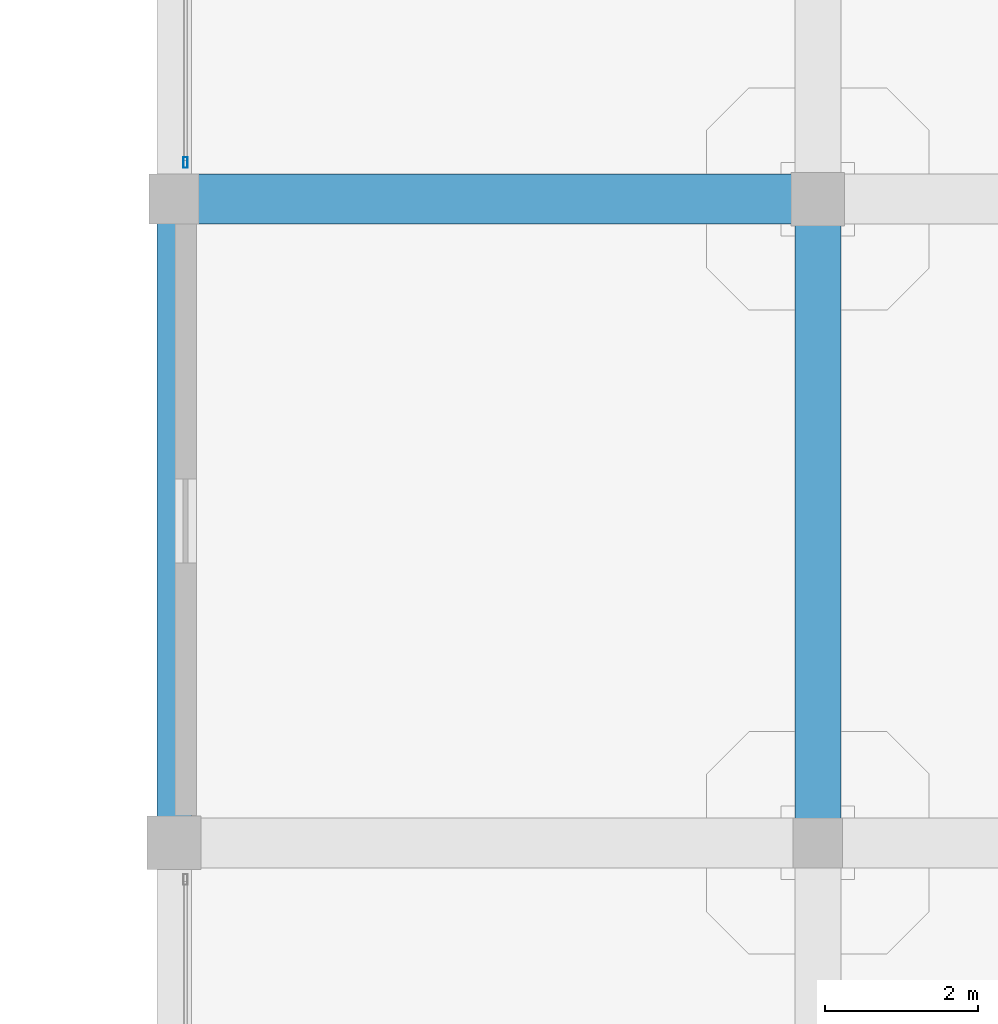
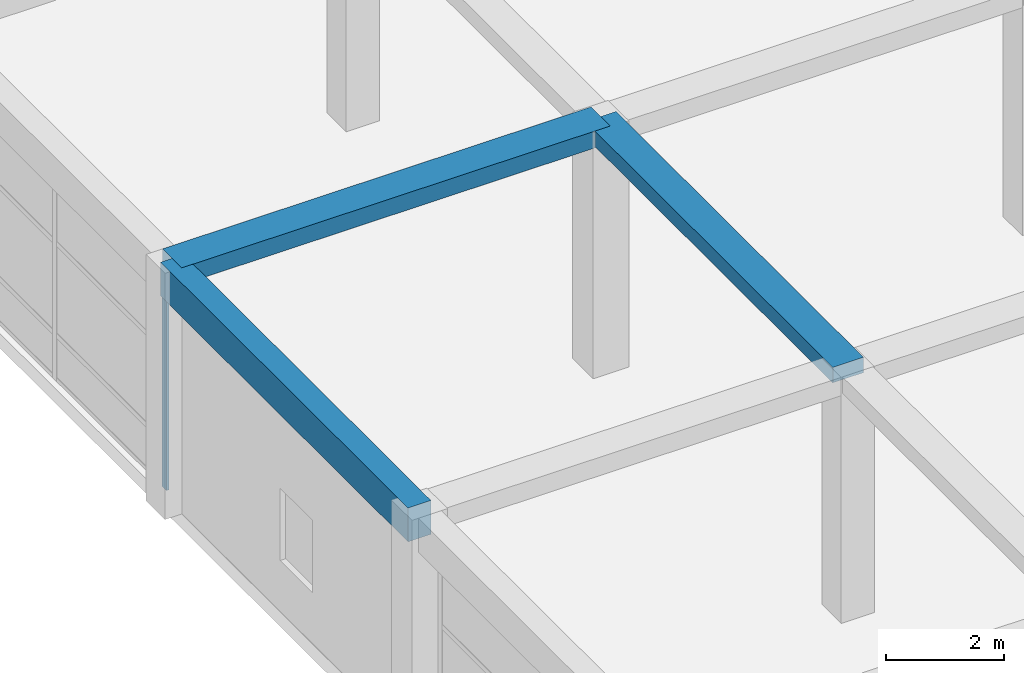
# One storey, part 18 of 96: 3 beams, 1 member, 1 element without a shape of its own.
"""IFC4 building model written with IfcOpenShell, lengths in metres."""

from ifc_helpers import new_model, si_unit, direction, frame, origin, origin_2d, place, context, subcontext, project, spatial, rectangle, hollow_rectangle, extrude, material, material_profile, profile_set, type_object, element, aggregate, save


model = new_model("IFC4")

# Units and contexts
model_context = context("Model", 3, precision=1e-05, world=origin(), true_north=direction((0.0, 1.0)))
body_context = subcontext(model_context, "Body", "Model", "MODEL_VIEW")
ifc_project = project(units=[si_unit("LENGTHUNIT", "METRE"), si_unit("AREAUNIT", "SQUARE_METRE"), si_unit("VOLUMEUNIT", "CUBIC_METRE"), si_unit("PLANEANGLEUNIT", "RADIAN"), si_unit("MASSUNIT", "GRAM", prefix="KILO")], contexts=[model_context])

# Site, building, storey
site_placement = place(None, origin())
site = spatial("IfcSite", under=ifc_project, at=site_placement, CompositionType="ELEMENT")
building_placement = place(site_placement, origin())
building = spatial("IfcBuilding", under=site, at=building_placement, Name="Almacenes y Pasaje Nevantli", CompositionType="ELEMENT")
storey_placement = place(building_placement, frame((0.0, 0.0, 6.0)))
storey = spatial("IfcBuildingStorey", under=building, at=storey_placement, Name="L02", CompositionType="ELEMENT", Elevation=6.0)

# Beams
ifc_material_1 = material(Name="Concrete C35/45", Category="concrete")
ifc_material_profile_1 = material_profile(ifc_material_1, rectangle(XDim=0.449951171875, YDim=0.699951171875, at=origin_2d()), Name="RC-BM-450x700")
ifc_profile_set_1 = profile_set([ifc_material_profile_1], Name="Concrete C35/45")
beam_type_1 = type_object("IfcBeamType", Name="BM-RC-450x700", PredefinedType="SPANDREL", material=ifc_profile_set_1)
beam_1_placement = place(storey_placement, frame((0.0, 33.60009765625, 4.75), z_axis=(0.0, 1.0, 0.0), x_axis=(-1.0, 0.0, 0.0)))
element("IfcBeam", 1, at=beam_1_placement, inside=storey, type_object=beam_type_1, Name="L02 North-South Reinforced Concrete Beam #1967", PredefinedType="SPANDREL", context=body_context, shape_type="SweptSolid", body=[
    extrude(rectangle(XDim=0.449951171875, YDim=0.699951171875, at=origin_2d()), origin(), (0.0, 0.0, 1.0), 8.39990234375),
])
ifc_material_2 = material(Name="Concrete C35/45", Category="concrete")
ifc_material_profile_2 = material_profile(ifc_material_2, rectangle(XDim=0.60009765625, YDim=0.320068359375, at=origin_2d()), Name="RC-BM-600x320")
ifc_profile_set_2 = profile_set([ifc_material_profile_2], Name="Concrete C35/45")
beam_type_2 = type_object("IfcBeamType", Name="BM-RC-600x320", PredefinedType="BEAM", material=ifc_profile_set_2)
beam_2_placement = place(storey_placement, frame((8.39990234375, 33.60009765625, 4.93994140625), z_axis=(0.0, 1.0, 0.0), x_axis=(-1.0, 0.0, 0.0)))
element("IfcBeam", 2, at=beam_2_placement, inside=storey, type_object=beam_type_2, Name="L02 North-South Reinforced Concrete Beam #1978", PredefinedType="BEAM", context=body_context, shape_type="SweptSolid", body=[
    extrude(rectangle(XDim=0.60009765625, YDim=0.320068359375, at=origin_2d()), origin(), (0.0, 0.0, 1.0), 8.39990234375),
])
ifc_material_3 = material(Name="Concrete C35/45", Category="concrete")
ifc_material_profile_3 = material_profile(ifc_material_3, rectangle(XDim=0.64990234375, YDim=0.35009765625, at=origin_2d()), Name="RC-BM-650x350")
ifc_profile_set_3 = profile_set([ifc_material_profile_3], Name="Concrete C35/45")
beam_type_3 = type_object("IfcBeamType", Name="BM-RC-650x350", PredefinedType="BEAM", material=ifc_profile_set_3)
beam_3_placement = place(storey_placement, frame((0.0, 42.0, 4.925048828125), z_axis=(1.0, 0.0, 0.0), x_axis=(0.0, 1.0, 0.0)))
element("IfcBeam", 3, at=beam_3_placement, inside=storey, type_object=beam_type_3, Name="L02 East-West Reinforced Concrete Beam #1802", PredefinedType="BEAM", context=body_context, shape_type="SweptSolid", body=[
    extrude(rectangle(XDim=0.64990234375, YDim=0.35009765625, at=origin_2d()), origin(), (0.0, 0.0, 1.0), 8.39990234375),
])

# Curtain wall, member
ifc_material_4 = material(Name="Thermally Broken Aluminium and Low-E Glass", Category="aluminium")
curtain_wall_type = type_object("IfcCurtainWallType", Name="CW-UNIT-PODIUM", PredefinedType="USERDEFINED", material=ifc_material_4)
curtain_wall_placement = place(storey_placement, origin())
curtain_wall = element("IfcCurtainWall", 4, at=curtain_wall_placement, inside=storey, type_object=curtain_wall_type, Name="L02 West Avenue Unitized Curtain Wall Bay 6", ObjectType="UNITIZED CURTAIN WALL", PredefinedType="USERDEFINED")
ifc_material_5 = material(Name="Thermally Broken Anodized Aluminium", Category="aluminium")
ifc_material_profile_4 = material_profile(ifc_material_5, hollow_rectangle(XDim=0.054931640625, YDim=0.139892578125, WallThickness=0.00341796875, at=origin_2d()), Name="ALU-MUL-55x140")
ifc_profile_set_4 = profile_set([ifc_material_profile_4], Name="Thermally Broken Anodized Aluminium")
member_type = type_object("IfcMemberType", Name="CW-MUL-160", PredefinedType="MULLION", material=ifc_profile_set_4)
member_placement = place(storey_placement, frame((0.14990234375, 42.4775390625, 0.0), z_axis=(0.0, 0.0, 1.0), x_axis=(-1.0, 0.0, 0.0)))
member = element("IfcMember", 5, at=member_placement, type_object=member_type, Name="CW-L02-016 mullion 1", PredefinedType="MULLION", context=body_context, shape_type="SweptSolid", body=[
    extrude(hollow_rectangle(XDim=0.054931640625, YDim=0.139892578125, WallThickness=0.00341796875, at=origin_2d()), origin(), (0.0, 0.0, 1.0), 4.3798828125),
])
aggregate(curtain_wall, [member])

save(model, "model.ifc")
